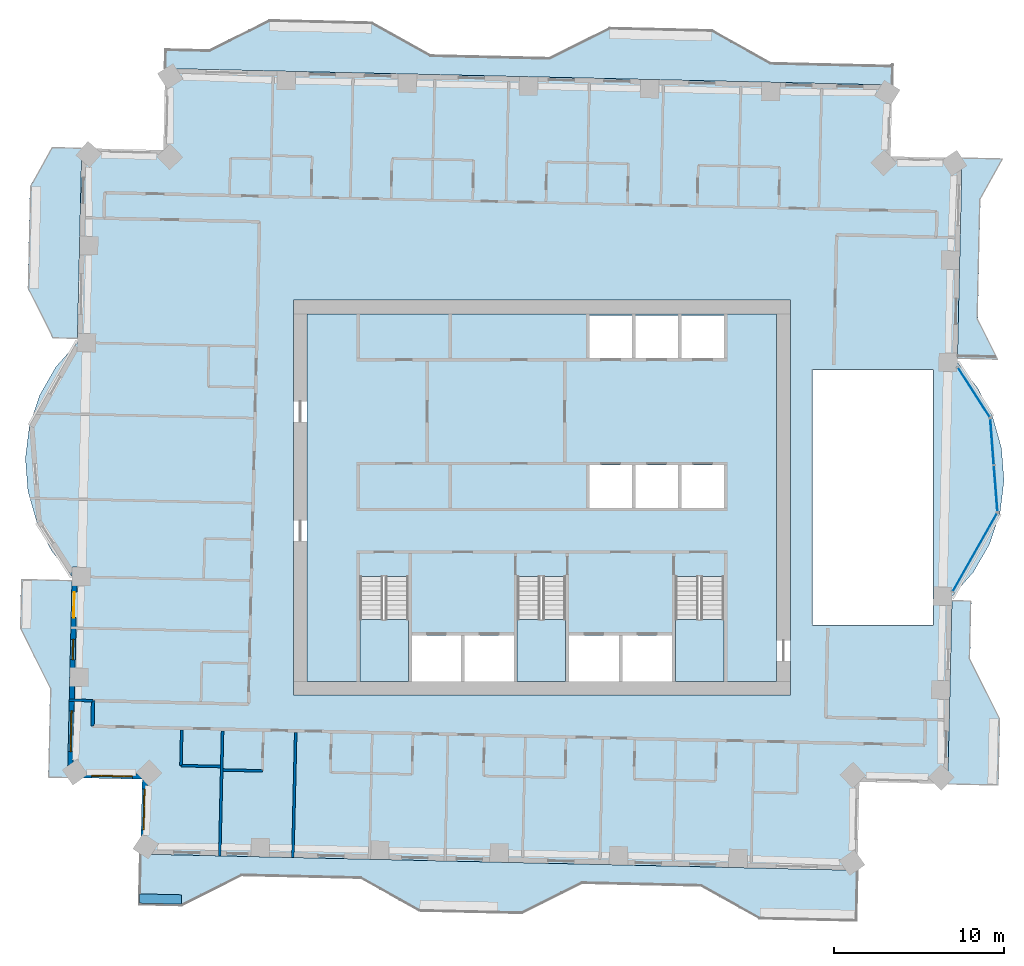
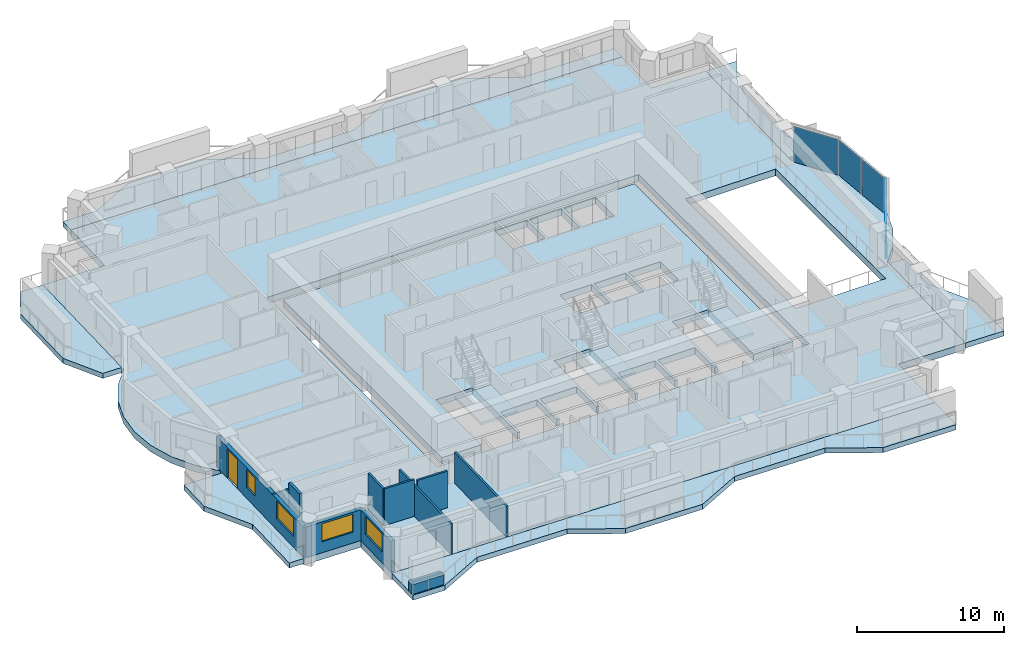
# One storey, part 5 of 16: 11 slabs, 11 walls, 4 plates, 4 windows, 1 door, 5 openings, 6 elements without a shape of their own.
"""IFC4 building model written with IfcOpenShell, lengths in metres."""

from ifc_helpers import new_model, si_unit, direction, frame, frame_2d, origin, origin_2d, place, context, subcontext, project, spatial, polyline, rectangle, outline, extrude, material, layer, layer_set, type_object, element, fill, aggregate, save


model = new_model("IFC4")

# Units and contexts
model_context = context("Model", 3, precision=1e-05, world=origin(), true_north=direction((0.0, 1.0)))
body_context = subcontext(model_context, "Body", "Model", "MODEL_VIEW")
ifc_project = project(units=[si_unit("LENGTHUNIT", "METRE"), si_unit("AREAUNIT", "SQUARE_METRE"), si_unit("VOLUMEUNIT", "CUBIC_METRE"), si_unit("PLANEANGLEUNIT", "RADIAN"), si_unit("MASSUNIT", "GRAM", prefix="KILO")], contexts=[model_context])

# Site, building, storey
site_placement = place(None, origin())
site = spatial("IfcSite", under=ifc_project, at=site_placement, CompositionType="ELEMENT")
building_placement = place(site_placement, origin())
building = spatial("IfcBuilding", under=site, at=building_placement, Name="Mangrove Gate Tower", CompositionType="ELEMENT")
storey_placement = place(building_placement, frame((0.0, 0.0, 215.89990234375)))
storey = spatial("IfcBuildingStorey", under=building, at=storey_placement, Name="L55", CompositionType="ELEMENT", Elevation=215.89990234375)

# Curtain wall, plate
ifc_material_1 = material(Name="Aluminium and glass curtain wall", Category="aluminium")
curtain_wall_type = type_object("IfcCurtainWallType", Name="Atrium garden-court glazing wall", PredefinedType="NOTDEFINED", material=ifc_material_1)
curtain_wall_1_placement = place(storey_placement, origin())
curtain_wall_1 = element("IfcCurtainWall", 1, at=curtain_wall_1_placement, inside=storey, type_object=curtain_wall_type, Name="Atrium garden-court glazing E1f1", PredefinedType="NOTDEFINED")
ifc_material_2 = material(Name="Laminated low-e glass", Category="glass")
ifc_layer_1 = layer(ifc_material_2, 0.031982421875)
ifc_layer_set_1 = layer_set([ifc_layer_1], Name="Atrium garden-court glazing panel 32")
plate_type = type_object("IfcPlateType", Name="Atrium garden-court glazing panel 32", PredefinedType="CURTAIN_PANEL", material=ifc_layer_set_1)
plate_1_placement = place(storey_placement, frame((25.4541015625, -3.217041015625, 0.0), z_axis=(0.0, 0.0, 1.0), x_axis=(0.492599932635, 0.870255885569, 0.0)))
plate_1 = element("IfcPlate", 2, at=plate_1_placement, type_object=plate_type, Name="CWA panel 1.1", PredefinedType="CURTAIN_PANEL", context=body_context, shape_type="SweptSolid", body=[
    extrude(rectangle(XDim=5.258544921875, YDim=0.031982421875, at=origin_2d()), origin(), (0.0, 0.0, 1.0), 2.97998046875),
])
aggregate(curtain_wall_1, [plate_1])

# Curtain wall, plates
curtain_wall_2_placement = place(storey_placement, origin())
curtain_wall_2 = element("IfcCurtainWall", 3, at=curtain_wall_2_placement, inside=storey, type_object=curtain_wall_type, Name="Atrium garden-court glazing E1f2", PredefinedType="NOTDEFINED")
plate_2_placement = place(storey_placement, frame((26.67529296875, 0.538818359375, 0.0), z_axis=(0.0, 0.0, 1.0), x_axis=(-0.077023348229, 0.997029289353, 0.0)))
plate_2 = element("IfcPlate", 4, at=plate_2_placement, type_object=plate_type, Name="CWA panel 1.1", PredefinedType="CURTAIN_PANEL", context=body_context, shape_type="SweptSolid", body=[
    extrude(rectangle(XDim=2.681640625, YDim=0.031982421875, at=origin_2d()), origin(), (0.0, 0.0, 1.0), 2.97998046875),
])
plate_3_placement = place(storey_placement, frame((26.463134765625, 3.2822265625, 0.0), z_axis=(0.0, 0.0, 1.0), x_axis=(-0.077023348229, 0.997029289353, 0.0)))
plate_3 = element("IfcPlate", 5, at=plate_3_placement, type_object=plate_type, Name="CWA panel 2.1", PredefinedType="CURTAIN_PANEL", context=body_context, shape_type="SweptSolid", body=[
    extrude(rectangle(XDim=2.681640625, YDim=0.031982421875, at=origin_2d()), origin(), (0.0, 0.0, 1.0), 2.97998046875),
])
aggregate(curtain_wall_2, [plate_2, plate_3])

# Curtain wall, plate
curtain_wall_3_placement = place(storey_placement, origin())
curtain_wall_3 = element("IfcCurtainWall", 6, at=curtain_wall_3_placement, inside=storey, type_object=curtain_wall_type, Name="Atrium garden-court glazing E1f3", PredefinedType="NOTDEFINED")
plate_4_placement = place(storey_placement, frame((25.389892578125, 6.190185546875, 0.0), z_axis=(0.0, 0.0, 1.0), x_axis=(-0.540523066602, 0.841329195067, 0.0)))
plate_4 = element("IfcPlate", 7, at=plate_4_placement, type_object=plate_type, Name="CWA panel 1.1", PredefinedType="CURTAIN_PANEL", context=body_context, shape_type="SweptSolid", body=[
    extrude(rectangle(XDim=3.428955078125, YDim=0.031982421875, at=origin_2d()), origin(), (0.0, 0.0, 1.0), 2.97998046875),
])
aggregate(curtain_wall_3, [plate_4])

# Slabs
ifc_material_3 = material(Name="Porcelain tile")
ifc_layer_2 = layer(ifc_material_3, 0.02001953125, Name="Tile finish")
ifc_material_4 = material(Name="Cement sand screed")
ifc_layer_3 = layer(ifc_material_4, 0.0400390625, Name="Screed laid to falls")
ifc_material_5 = material(Name="Bituminous waterproofing membrane")
ifc_layer_4 = layer(ifc_material_5, 0.00390625, Name="Waterproofing")
ifc_material_6 = material(Name="Concrete C40/50", Category="concrete")
ifc_layer_5 = layer(ifc_material_6, 0.340087890625, Name="Balcony structural slab")
ifc_material_7 = material(Name="Limestone", Category="masonry")
ifc_layer_6 = layer(ifc_material_7, 0.01611328125, Name="Soffit lining")
ifc_layer_set_2 = layer_set([ifc_layer_2, ifc_layer_3, ifc_layer_4, ifc_layer_5, ifc_layer_6], Name="Balcony slab 420 C40/50")
slab_type_1 = type_object("IfcSlabType", Name="Balcony slab 420 C40/50", PredefinedType="FLOOR", material=ifc_layer_set_2)
slab_1_placement = place(storey_placement, frame((0.0, 0.0, -0.419921875)))
element("IfcSlab", 8, at=slab_1_placement, inside=storey, type_object=slab_type_1, Name="BALCONY L55 E0", PredefinedType="FLOOR", context=body_context, shape_type="SweptSolid", body=[
    extrude(outline(polyline([(26.847900390625, -16.89990234375), (26.93701171875, -13.0009765625), (25.1669921875, -9.4599609375), (25.242919921875, -6.0859375), (24.10400390625, -6.06005859375), (24.027099609375, -9.43408203125), (23.947998046875, -12.93310546875), (23.85888671875, -16.83203125), (26.847900390625, -16.89990234375)])), origin(), (0.0, 0.0, 1.0), 0.419921875),
])
slab_2_placement = place(storey_placement, frame((0.0, 0.0, -0.419921875)))
element("IfcSlab", 9, at=slab_2_placement, inside=storey, type_object=slab_type_1, Name="BALCONY L55 E1", PredefinedType="FLOOR", context=body_context, shape_type="SweptSolid", body=[
    extrude(outline(polyline([(26.822021484375, 8.132080078125), (25.62109375, 10.534912109375), (25.779052734375, 17.532958984375), (27.10205078125, 19.904052734375), (24.694091796875, 19.9580078125), (24.639892578125, 17.55908203125), (24.48095703125, 10.56103515625), (24.427001953125, 8.18701171875), (26.822021484375, 8.132080078125)])), origin(), (0.0, 0.0, 1.0), 0.419921875),
])
slab_3_placement = place(storey_placement, frame((0.0, 0.0, -0.419921875)))
element("IfcSlab", 10, at=slab_3_placement, inside=storey, type_object=slab_type_1, Name="BALCONY L55 N0", PredefinedType="FLOOR", context=body_context, shape_type="SweptSolid", body=[
    extrude(outline(polyline([(20.617919921875, 25.48291015625), (20.444091796875, 25.39599609375), (13.446044921875, 25.554931640625), (9.989013671875, 27.48388671875), (3.990966796875, 27.6201171875), (0.449951171875, 25.85009765625), (-0.75, 25.876953125), (-6.549072265625, 26.009033203125), (-10.006103515625, 27.93701171875), (-16.00390625, 28.073974609375), (-19.544921875, 26.303955078125), (-22.116943359375, 26.362060546875), (-22.14208984375, 25.221923828125), (20.590087890625, 24.251953125), (20.617919921875, 25.48291015625)])), origin(), (0.0, 0.0, 1.0), 0.419921875),
])
slab_4_placement = place(storey_placement, frame((0.0, 0.0, -0.419921875)))
element("IfcSlab", 11, at=slab_4_placement, inside=storey, type_object=slab_type_1, Name="BALCONY L55 W0", PredefinedType="FLOOR", context=body_context, shape_type="SweptSolid", body=[
    extrude(outline(polyline([(-28.823974609375, 20.572998046875), (-30.092041015625, 18.301025390625), (-30.22802734375, 12.302001953125), (-28.77392578125, 9.39404296875), (-27.303955078125, 9.360107421875), (-27.238037109375, 12.23388671875), (-27.10205078125, 18.23291015625), (-27.050048828125, 20.531982421875), (-28.823974609375, 20.572998046875)])), origin(), (0.0, 0.0, 1.0), 0.419921875),
])
slab_5_placement = place(storey_placement, frame((0.0, 0.0, -0.419921875)))
element("IfcSlab", 12, at=slab_5_placement, inside=storey, type_object=slab_type_1, Name="BALCONY L55 W1", PredefinedType="FLOOR", context=body_context, shape_type="SweptSolid", body=[
    extrude(outline(polyline([(-30.615966796875, -4.819091796875), (-30.680908203125, -7.693115234375), (-28.910888671875, -11.23388671875), (-29.029052734375, -16.431884765625), (-27.889892578125, -16.4580078125), (-27.77197265625, -11.260009765625), (-27.69189453125, -7.760009765625), (-27.626953125, -4.886962890625), (-30.615966796875, -4.819091796875)])), origin(), (0.0, 0.0, 1.0), 0.419921875),
])
slab_6_placement = place(storey_placement, frame((0.0, 0.0, -0.419921875)))
element("IfcSlab", 13, at=slab_6_placement, inside=storey, type_object=slab_type_1, Name="BALCONY L55 S0", PredefinedType="FLOOR", context=body_context, shape_type="SweptSolid", body=[
    extrude(outline(polyline([(-23.657958984375, -23.946044921875), (-21.18701171875, -24.001953125), (-17.64599609375, -22.23193359375), (-10.64794921875, -22.39111328125), (-7.19091796875, -24.320068359375), (-1.19189453125, -24.4560546875), (2.34912109375, -22.68701171875), (9.346923828125, -22.844970703125), (12.803955078125, -24.77392578125), (18.47509765625, -24.902099609375), (18.54296875, -21.9130859375), (-23.591064453125, -20.95703125), (-23.657958984375, -23.946044921875)])), origin(), (0.0, 0.0, 1.0), 0.419921875),
])
ifc_material_8 = material(Name="Concrete C40/50", Category="concrete")
ifc_layer_7 = layer(ifc_material_8, 0.550048828125)
ifc_layer_set_3 = layer_set([ifc_layer_7], Name="Core floor slab 550 C40/50")
slab_type_2 = type_object("IfcSlabType", Name="Core floor slab 550 C40/50", PredefinedType="FLOOR", material=ifc_layer_set_3)
slab_7_placement = place(storey_placement, frame((0.0, 0.0, -0.5498046875)))
element("IfcSlab", 14, at=slab_7_placement, inside=storey, type_object=slab_type_2, Name="SLAB-L55-CORE-1", PredefinedType="FLOOR", context=body_context, shape_type="SweptSolid", body=[
    extrude(outline(polyline([(-13.800048828125, -10.800048828125), (-13.800048828125, 10.800048828125), (13.800048828125, 10.800048828125), (13.800048828125, -10.800048828125), (10.699951171875, -10.800048828125), (10.699951171875, -4.653076171875), (7.85009765625, -4.653076171875), (7.85009765625, -10.800048828125), (7.64990234375, -10.800048828125), (7.64990234375, -8.10009765625), (4.72509765625, -8.10009765625), (4.72509765625, -10.800048828125), (4.52490234375, -10.800048828125), (4.52490234375, -8.10009765625), (1.60009765625, -8.10009765625), (1.60009765625, -10.800048828125), (1.39990234375, -10.800048828125), (1.39990234375, -4.653076171875), (-1.449951171875, -4.653076171875), (-1.449951171875, -10.800048828125), (-1.64990234375, -10.800048828125), (-1.64990234375, -8.10009765625), (-4.550048828125, -8.10009765625), (-4.550048828125, -10.800048828125), (-4.75, -10.800048828125), (-4.75, -8.10009765625), (-7.64990234375, -8.10009765625), (-7.64990234375, -10.800048828125), (-7.85009765625, -10.800048828125), (-7.85009765625, -4.653076171875), (-10.699951171875, -4.653076171875), (-10.699951171875, -10.800048828125), (-13.800048828125, -10.800048828125)]), holes=[polyline([(5.300048828125, -0.60009765625), (5.300048828125, 1.89990234375), (2.800048828125, 1.89990234375), (2.800048828125, -0.60009765625), (5.300048828125, -0.60009765625)]), polyline([(5.300048828125, 10.699951171875), (2.800048828125, 10.699951171875), (2.800048828125, 8.199951171875), (5.300048828125, 8.199951171875), (5.300048828125, 10.699951171875)]), polyline([(8.0, -0.60009765625), (8.0, 1.89990234375), (5.5, 1.89990234375), (5.5, -0.60009765625), (8.0, -0.60009765625)]), polyline([(10.699951171875, -0.60009765625), (10.699951171875, 1.89990234375), (8.199951171875, 1.89990234375), (8.199951171875, -0.60009765625), (10.699951171875, -0.60009765625)]), polyline([(8.0, 8.199951171875), (8.0, 10.699951171875), (5.5, 10.699951171875), (5.5, 8.199951171875), (8.0, 8.199951171875)]), polyline([(10.699951171875, 8.199951171875), (10.699951171875, 10.699951171875), (8.199951171875, 10.699951171875), (8.199951171875, 8.199951171875), (10.699951171875, 8.199951171875)])]), origin(), (0.0, 0.0, 1.0), 0.5498046875),
])

# Stair, slab
ifc_material_9 = material(Name="Concrete C40/50", Category="concrete")
stair_type = type_object("IfcStairType", Name="Core stair 1350", PredefinedType="HALF_TURN_STAIR", material=ifc_material_9)
stair_1_placement = place(storey_placement, origin())
stair_1 = element("IfcStair", 15, at=stair_1_placement, inside=storey, type_object=stair_type, Name="L55 Stair 1", PredefinedType="HALF_TURN_STAIR")
ifc_material_10 = material(Name="Concrete C40/50", Category="concrete")
ifc_layer_8 = layer(ifc_material_10, 0.199951171875)
ifc_layer_set_4 = layer_set([ifc_layer_8], Name="Core stair landing 200")
slab_type_3 = type_object("IfcSlabType", Name="Core stair landing 200", PredefinedType="LANDING", material=ifc_layer_set_4)
slab_8_placement = place(storey_placement, frame((0.0, 0.0, 1.60009765625)))
slab_8 = element("IfcSlab", 16, at=slab_8_placement, type_object=slab_type_3, Name="ST1 landing 1", PredefinedType="LANDING", context=body_context, shape_type="SweptSolid", body=[
    extrude(outline(polyline([(-10.699951171875, -7.169921875), (-10.699951171875, -10.800048828125), (-7.85009765625, -10.800048828125), (-7.85009765625, -7.169921875), (-10.699951171875, -7.169921875)])), origin(), (0.0, 0.0, 1.0), 0.199951171875),
])
aggregate(stair_1, [slab_8])

stair_2_placement = place(storey_placement, origin())
stair_2 = element("IfcStair", 17, at=stair_2_placement, inside=storey, type_object=stair_type, Name="L55 Stair 2", PredefinedType="HALF_TURN_STAIR")
slab_9_placement = place(storey_placement, frame((0.0, 0.0, 1.60009765625)))
slab_9 = element("IfcSlab", 18, at=slab_9_placement, type_object=slab_type_3, Name="ST2 landing 1", PredefinedType="LANDING", context=body_context, shape_type="SweptSolid", body=[
    extrude(outline(polyline([(-1.449951171875, -7.169921875), (-1.449951171875, -10.800048828125), (1.39990234375, -10.800048828125), (1.39990234375, -7.169921875), (-1.449951171875, -7.169921875)])), origin(), (0.0, 0.0, 1.0), 0.199951171875),
])
aggregate(stair_2, [slab_9])

stair_3_placement = place(storey_placement, origin())
stair_3 = element("IfcStair", 19, at=stair_3_placement, inside=storey, type_object=stair_type, Name="L55 Stair 3", PredefinedType="HALF_TURN_STAIR")
slab_10_placement = place(storey_placement, frame((0.0, 0.0, 1.60009765625)))
slab_10 = element("IfcSlab", 20, at=slab_10_placement, type_object=slab_type_3, Name="ST3 landing 1", PredefinedType="LANDING", context=body_context, shape_type="SweptSolid", body=[
    extrude(outline(polyline([(7.85009765625, -7.169921875), (7.85009765625, -10.800048828125), (10.699951171875, -10.800048828125), (10.699951171875, -7.169921875), (7.85009765625, -7.169921875)])), origin(), (0.0, 0.0, 1.0), 0.199951171875),
])
aggregate(stair_3, [slab_10])

# Slab
ifc_material_11 = material(Name="Concrete C40/50", Category="concrete")
ifc_layer_9 = layer(ifc_material_11, 0.550048828125)
ifc_layer_set_5 = layer_set([ifc_layer_9], Name="Floor slab 550 C40/50")
slab_type_4 = type_object("IfcSlabType", Name="Floor slab 550 C40/50", PredefinedType="FLOOR", material=ifc_layer_set_5)
slab_11_placement = place(storey_placement, frame((0.0, 0.0, -0.5498046875)))
element("IfcSlab", 21, at=slab_11_placement, inside=storey, type_object=slab_type_4, Name="Floor slab L55", PredefinedType="FLOOR", context=body_context, shape_type="SweptSolid", body=[
    extrude(outline(polyline([(-23.590576171875, -20.95703125), (18.54248046875, -21.9130859375), (18.66064453125, -16.71435546875), (23.859130859375, -16.832275390625), (24.109375, -5.810546875), (25.372314453125, -4.3740234375), (26.325439453125, -2.715576171875), (26.930908203125, -0.901123046875), (27.16455078125, 0.997314453125), (27.017333984375, 2.904296875), (26.494873046875, 4.744384765625), (25.617919921875, 6.4443359375), (24.42138671875, 7.9365234375), (24.694091796875, 19.958251953125), (20.4951171875, 20.053466796875), (20.590576171875, 24.25244140625), (-22.142578125, 25.22216796875), (-22.25146484375, 20.42333984375), (-27.050048828125, 20.5322265625), (-27.309326171875, 9.110595703125), (-28.572265625, 7.674072265625), (-29.525390625, 6.015625), (-30.130859375, 4.201171875), (-30.364501953125, 2.302734375), (-30.21728515625, 0.395751953125), (-29.69482421875, -1.4443359375), (-28.81787109375, -3.144287109375), (-27.621337890625, -4.636474609375), (-27.8896484375, -16.458251953125), (-23.49072265625, -16.55810546875), (-23.590576171875, -20.95703125)]), holes=[polyline([(15.89990234375, 7.5), (22.9951171875, 7.5), (22.9951171875, -7.5), (15.89990234375, -7.5), (15.89990234375, 7.5)]), polyline([(-14.60009765625, -11.60009765625), (-14.60009765625, 11.60009765625), (14.60009765625, 11.60009765625), (14.60009765625, -11.60009765625), (-14.60009765625, -11.60009765625)])]), origin(), (0.0, 0.0, 1.0), 0.5498046875),
])

# Wall
ifc_material_12 = material(Name="Gypsum board on steel stud, EI 60", Category="steel")
ifc_layer_10 = layer(ifc_material_12, 0.199951171875)
ifc_layer_set_6 = layer_set([ifc_layer_10], Name="Corridor wall EI 60")
wall_type_1 = type_object("IfcWallType", Name="Corridor wall EI 60", PredefinedType="PARTITIONING", material=ifc_layer_set_6)
wall_1_placement = place(storey_placement, frame((-26.4189453125, -13.44091796875, 0.0), z_axis=(0.0, 0.0, 1.0), x_axis=(0.022617910375, 0.999744182344, 0.0)))
element("IfcWall", 22, at=wall_1_placement, inside=storey, type_object=wall_type_1, Name="WALL-L55-025", PredefinedType="PARTITIONING", context=body_context, shape_type="SweptSolid", body=[
    extrude(rectangle(XDim=1.50048828125, YDim=0.199951171875, at=frame_2d((0.750244140625, 0.0))), origin(), (0.0, 0.0, 1.0), 3.050048828125),
])

# Wall, openings, door, windows
ifc_layer_11 = layer(ifc_material_7, 0.0400390625, Name="Limestone cladding")
ifc_material_13 = material(Name="Ventilated air gap")
ifc_layer_12 = layer(ifc_material_13, 0.0400390625, Name="Ventilated cavity")
ifc_material_14 = material(Name="Mineral wool insulation")
ifc_layer_13 = layer(ifc_material_14, 0.06005859375, Name="Insulation")
ifc_material_15 = material(Name="Breather membrane")
ifc_layer_14 = layer(ifc_material_15, 0.001953125, Name="Breather membrane")
ifc_material_16 = material(Name="Concrete C20/25 blockwork", Category="masonry")
ifc_layer_15 = layer(ifc_material_16, 0.14990234375, Name="Blockwork backing wall")
ifc_material_17 = material(Name="Gypsum plaster")
ifc_layer_16 = layer(ifc_material_17, 0.008056640625, Name="Internal plaster")
ifc_layer_set_7 = layer_set([ifc_layer_11, ifc_layer_12, ifc_layer_13, ifc_layer_14, ifc_layer_15, ifc_layer_16], Name="External wall 300 limestone cladding")
wall_type_2 = type_object("IfcWallType", Name="External wall 300 limestone cladding", PredefinedType="SOLIDWALL", material=ifc_layer_set_7)
wall_2_placement = place(storey_placement, frame((-27.458984375, -4.091064453125, 0.0), z_axis=(0.0, 0.0, 1.0), x_axis=(-0.022668325129, -0.999743040504, 0.0)))
wall_2 = element("IfcWall", 23, at=wall_2_placement, inside=storey, type_object=wall_type_2, Name="WALL-L55-W10s1", PredefinedType="SOLIDWALL", context=body_context, shape_type="SweptSolid", body=[
    extrude(rectangle(XDim=12.22412109375, YDim=0.300048828125, at=frame_2d((6.112060546875, 0.0))), origin(), (0.0, 0.0, 1.0), 2.550048828125),
])
opening_1_placement = place(wall_2_placement, frame((1.4619140625, 0.0, 0.0)))
opening_1 = element("IfcOpeningElement", 24, at=opening_1_placement, cuts=wall_2, Name="Opening BD1", PredefinedType="OPENING", context=body_context, shape_type="SweptSolid", body=[
    extrude(rectangle(XDim=1.5, YDim=2.39990234375, at=frame_2d((0.75, 1.199951171875))), frame((0.0, 0.159912109375, 0.0), z_axis=(0.0, -1.0, 0.0), x_axis=(1.0, 0.0, 0.0)), (0.0, 0.0, 1.0), 0.320068359375),
])
opening_2_placement = place(wall_2_placement, frame((4.242919921875, 0.0, 0.89990234375)))
opening_2 = element("IfcOpeningElement", 25, at=opening_2_placement, cuts=wall_2, Name="Opening W1", PredefinedType="OPENING", context=body_context, shape_type="SweptSolid", body=[
    extrude(rectangle(XDim=1.199951171875, YDim=1.5, at=frame_2d((0.60009765625, 0.75))), frame((0.0, 0.159912109375, 0.0), z_axis=(0.0, -1.0, 0.0), x_axis=(1.0, 0.0, 0.0)), (0.0, 0.0, 1.0), 0.320068359375),
])
opening_3_placement = place(wall_2_placement, frame((8.449951171875, 0.0, 0.89990234375)))
opening_3 = element("IfcOpeningElement", 26, at=opening_3_placement, cuts=wall_2, Name="Opening W2", PredefinedType="OPENING", context=body_context, shape_type="SweptSolid", body=[
    extrude(rectangle(XDim=2.39990234375, YDim=1.5, at=frame_2d((1.199951171875, 0.75))), frame((0.0, 0.159912109375, 0.0), z_axis=(0.0, -1.0, 0.0), x_axis=(1.0, 0.0, 0.0)), (0.0, 0.0, 1.0), 0.320068359375),
])
ifc_material_18 = material(Name="Aluminium frame with laminated clear glass", Category="aluminium")
door_type = type_object("IfcDoorType", Name="Balcony sliding door 1500x2400", OperationType="SLIDING_TO_LEFT", PredefinedType="DOOR", material=ifc_material_18)
door_placement = place(opening_1_placement, origin())
door = element("IfcDoor", 27, at=door_placement, inside=storey, type_object=door_type, Name="DOOR-L55-W10-1", OperationType="SLIDING_TO_LEFT", OverallHeight=2.39990234375, OverallWidth=1.5, PredefinedType="DOOR", context=body_context, shape_type="SweptSolid", body=[
    extrude(rectangle(XDim=1.5, YDim=2.39990234375, at=frame_2d((0.75, 1.199951171875))), frame((0.0, 0.02490234375, 0.0), z_axis=(0.0, -1.0, 0.0), x_axis=(1.0, 0.0, 0.0)), (0.0, 0.0, 1.0), 0.050048828125),
])
fill(opening_1, door)
ifc_material_19 = material(Name="Aluminium frame with double-glazed low-e glass", Category="aluminium")
window_type_1 = type_object("IfcWindowType", Name="Corner room window 2400x1500", PartitioningType="DOUBLE_PANEL_VERTICAL", PredefinedType="WINDOW", material=ifc_material_19)
window_1_placement = place(opening_3_placement, origin())
window_1 = element("IfcWindow", 28, at=window_1_placement, inside=storey, type_object=window_type_1, Name="WIN-L55-W10-3", OverallHeight=1.5, OverallWidth=2.39990234375, PartitioningType="DOUBLE_PANEL_VERTICAL", PredefinedType="WINDOW", context=body_context, shape_type="SweptSolid", body=[
    extrude(rectangle(XDim=2.39990234375, YDim=1.5, at=frame_2d((1.199951171875, 0.75))), frame((0.0, 0.030029296875, 0.0), z_axis=(0.0, -1.0, 0.0), x_axis=(1.0, 0.0, 0.0)), (0.0, 0.0, 1.0), 0.06005859375),
])
fill(opening_3, window_1)
ifc_material_20 = material(Name="Aluminium frame with double-glazed low-e glass", Category="aluminium")
window_type_2 = type_object("IfcWindowType", Name="Side lite 1200x1500", PartitioningType="SINGLE_PANEL", PredefinedType="WINDOW", material=ifc_material_20)
window_2_placement = place(opening_2_placement, origin())
window_2 = element("IfcWindow", 29, at=window_2_placement, inside=storey, type_object=window_type_2, Name="WIN-L55-W10-2", OverallHeight=1.5, OverallWidth=1.199951171875, PartitioningType="SINGLE_PANEL", PredefinedType="WINDOW", context=body_context, shape_type="SweptSolid", body=[
    extrude(rectangle(XDim=1.199951171875, YDim=1.5, at=frame_2d((0.60009765625, 0.75))), frame((0.0, 0.030029296875, 0.0), z_axis=(0.0, -1.0, 0.0), x_axis=(1.0, 0.0, 0.0)), (0.0, 0.0, 1.0), 0.06005859375),
])
fill(opening_2, window_2)

# Wall, opening, window
wall_3_placement = place(storey_placement, frame((-27.736083984375, -16.31201171875, 0.0), z_axis=(0.0, 0.0, 1.0), x_axis=(0.999747504193, -0.022470599878, 0.0)))
wall_3 = element("IfcWall", 30, at=wall_3_placement, inside=storey, type_object=wall_type_2, Name="WALL-L55-S11", PredefinedType="SOLIDWALL", context=body_context, shape_type="SweptSolid", body=[
    extrude(rectangle(XDim=4.400390625, YDim=0.300048828125, at=frame_2d((2.2001953125, 0.0))), origin(), (0.0, 0.0, 1.0), 2.550048828125),
])
opening_4_placement = place(wall_3_placement, frame((1.260986328125, 0.0, 0.89990234375)))
opening_4 = element("IfcOpeningElement", 31, at=opening_4_placement, cuts=wall_3, Name="Opening W2", PredefinedType="OPENING", context=body_context, shape_type="SweptSolid", body=[
    extrude(rectangle(XDim=2.39990234375, YDim=1.5, at=frame_2d((1.199951171875, 0.75))), frame((0.0, 0.159912109375, 0.0), z_axis=(0.0, -1.0, 0.0), x_axis=(1.0, 0.0, 0.0)), (0.0, 0.0, 1.0), 0.320068359375),
])
window_3_placement = place(opening_4_placement, origin())
window_3 = element("IfcWindow", 32, at=window_3_placement, inside=storey, type_object=window_type_1, Name="WIN-L55-S11-1", OverallHeight=1.5, OverallWidth=2.39990234375, PartitioningType="DOUBLE_PANEL_VERTICAL", PredefinedType="WINDOW", context=body_context, shape_type="SweptSolid", body=[
    extrude(rectangle(XDim=2.39990234375, YDim=1.5, at=frame_2d((1.199951171875, 0.75))), frame((0.0, 0.030029296875, 0.0), z_axis=(0.0, -1.0, 0.0), x_axis=(1.0, 0.0, 0.0)), (0.0, 0.0, 1.0), 0.06005859375),
])
fill(opening_4, window_3)

wall_4_placement = place(storey_placement, frame((-23.3369140625, -16.410888671875, 0.0), z_axis=(0.0, 0.0, 1.0), x_axis=(-0.022747872013, -0.999741233679, 0.0)))
wall_4 = element("IfcWall", 33, at=wall_4_placement, inside=storey, type_object=wall_type_2, Name="WALL-L55-W12", PredefinedType="SOLIDWALL", context=body_context, shape_type="SweptSolid", body=[
    extrude(rectangle(XDim=4.400390625, YDim=0.300048828125, at=frame_2d((2.2001953125, 0.0))), origin(), (0.0, 0.0, 1.0), 2.550048828125),
])
opening_5_placement = place(wall_4_placement, frame((0.73193359375, 0.0, 0.89990234375)))
opening_5 = element("IfcOpeningElement", 34, at=opening_5_placement, cuts=wall_4, Name="Opening W2", PredefinedType="OPENING", context=body_context, shape_type="SweptSolid", body=[
    extrude(rectangle(XDim=2.39990234375, YDim=1.5, at=frame_2d((1.199951171875, 0.75))), frame((0.0, 0.159912109375, 0.0), z_axis=(0.0, -1.0, 0.0), x_axis=(1.0, 0.0, 0.0)), (0.0, 0.0, 1.0), 0.320068359375),
])
window_4_placement = place(opening_5_placement, origin())
window_4 = element("IfcWindow", 35, at=window_4_placement, inside=storey, type_object=window_type_1, Name="WIN-L55-W12-1", OverallHeight=1.5, OverallWidth=2.39990234375, PartitioningType="DOUBLE_PANEL_VERTICAL", PredefinedType="WINDOW", context=body_context, shape_type="SweptSolid", body=[
    extrude(rectangle(XDim=2.39990234375, YDim=1.5, at=frame_2d((1.199951171875, 0.75))), frame((0.0, 0.030029296875, 0.0), z_axis=(0.0, -1.0, 0.0), x_axis=(1.0, 0.0, 0.0)), (0.0, 0.0, 1.0), 0.06005859375),
])
fill(opening_5, window_4)

# Walls
ifc_material_21 = material(Name="Gypsum board on steel stud, EI 60", Category="steel")
ifc_layer_17 = layer(ifc_material_21, 0.14990234375)
ifc_layer_set_8 = layer_set([ifc_layer_17], Name="Party wall 150 EI 60")
wall_type_3 = type_object("IfcWallType", Name="Party wall 150 EI 60", PredefinedType="PARTITIONING", material=ifc_layer_set_8)
for number, where, z_axis, x_axis, name in (
    (36, (-18.93994140625, -21.06201171875, 0.0), (0.0, 0.0, 1.0), (0.022720650804, 0.999741852694, 0.0), "WALL-L55-001"),
    (37, (-14.64111328125, -21.159912109375, 0.0), (0.0, 0.0, 1.0), (0.022720650804, 0.999741852694, 0.0), "WALL-L55-002"),
):
    element("IfcWall", number, at=place(storey_placement, frame(where, z_axis=z_axis, x_axis=x_axis)), inside=storey, type_object=wall_type_3, Name=name, PredefinedType="PARTITIONING", context=body_context, shape_type="SweptSolid", body=[
        extrude(rectangle(XDim=7.349853515625, YDim=0.14990234375, at=frame_2d((3.6748046875, 0.0))), origin(), (0.0, 0.0, 1.0), 2.550048828125),
    ])
for number, where, z_axis, x_axis, name in (
    (38, (-18.751953125, -16.014892578125, 0.0), (0.0, 0.0, 1.0), (0.999737862264, -0.022895561926, 0.0), "WALL-L55-011"),
    (39, (-21.221923828125, -15.759033203125, 0.0), (0.0, 0.0, 1.0), (0.999740260747, -0.02279059109, 0.0), "WALL-L55-022"),
):
    element("IfcWall", number, at=place(storey_placement, frame(where, z_axis=z_axis, x_axis=x_axis)), inside=storey, type_object=wall_type_3, Name=name, PredefinedType="PARTITIONING", context=body_context, shape_type="SweptSolid", body=[
        extrude(rectangle(XDim=2.324462890625, YDim=0.14990234375, at=frame_2d((1.162109375, 0.0))), origin(), (0.0, 0.0, 1.0), 3.050048828125),
    ])
wall_5_placement = place(storey_placement, frame((-21.219970703125, -15.759033203125, 0.0), z_axis=(0.0, 0.0, 1.0), x_axis=(0.02279007832, 0.999740272436, 0.0)))
element("IfcWall", 40, at=wall_5_placement, inside=storey, type_object=wall_type_3, Name="WALL-L55-023", PredefinedType="PARTITIONING", context=body_context, shape_type="SweptSolid", body=[
    extrude(rectangle(XDim=2.099609375, YDim=0.14990234375, at=frame_2d((1.0498046875, 0.0))), origin(), (0.0, 0.0, 1.0), 3.050048828125),
])
wall_6_placement = place(storey_placement, frame((-27.785888671875, -11.908935546875, 0.0), z_axis=(0.0, 0.0, 1.0), x_axis=(0.999740216184, -0.022792545827, 0.0)))
element("IfcWall", 41, at=wall_6_placement, inside=storey, type_object=wall_type_3, Name="WALL-L55-027", PredefinedType="PARTITIONING", context=body_context, shape_type="SweptSolid", body=[
    extrude(rectangle(XDim=1.403076171875, YDim=0.14990234375, at=frame_2d((0.70166015625, 0.0))), origin(), (0.0, 0.0, 1.0), 2.550048828125),
])
ifc_material_22 = material(Name="Concrete C32/40", Category="concrete")
ifc_layer_18 = layer(ifc_material_22, 0.199951171875, Name="Planter trough wall")
ifc_layer_19 = layer(ifc_material_5, 0.0048828125, Name="Waterproofing")
ifc_material_23 = material(Name="Drainage board and gravel")
ifc_layer_20 = layer(ifc_material_23, 0.044921875, Name="Drainage layer")
ifc_material_24 = material(Name="Planting soil")
ifc_layer_21 = layer(ifc_material_24, 0.300048828125, Name="Growing medium")
ifc_layer_set_9 = layer_set([ifc_layer_18, ifc_layer_19, ifc_layer_20, ifc_layer_21], Name="Planter wall 550 C32/40")
wall_type_4 = type_object("IfcWallType", Name="Planter wall 550 C32/40", PredefinedType="USERDEFINED", material=ifc_layer_set_9)
wall_7_placement = place(storey_placement, frame((-23.64990234375, -23.571044921875, 0.0), z_axis=(0.0, 0.0, 1.0), x_axis=(0.999744125264, -0.022620433227, 0.0)))
element("IfcWall", 42, at=wall_7_placement, inside=storey, type_object=wall_type_4, Name="PLANTER L55 S0.1", ObjectType="PLANTER", PredefinedType="USERDEFINED", context=body_context, shape_type="SweptSolid", body=[
    extrude(rectangle(XDim=2.4716796875, YDim=0.550048828125, at=frame_2d((1.23583984375, 0.0))), origin(), (0.0, 0.0, 1.0), 0.800048828125),
])

save(model, "model.ifc")
